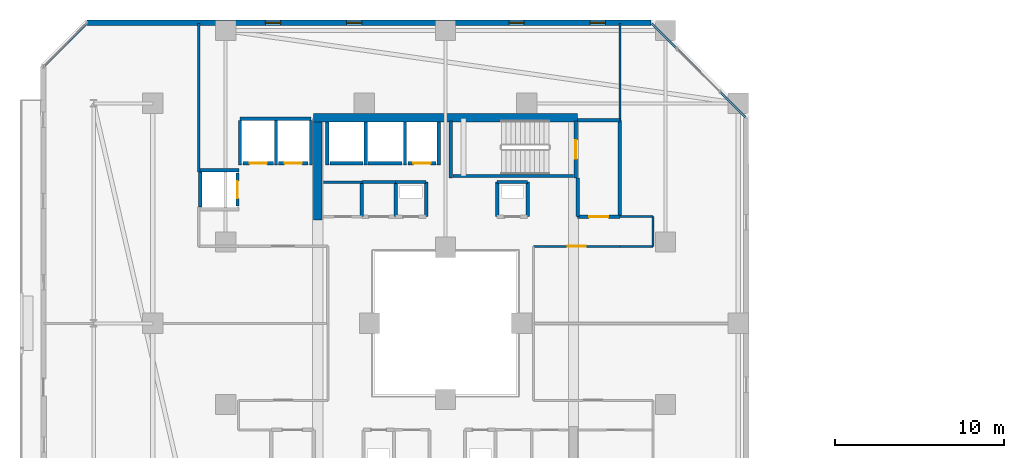
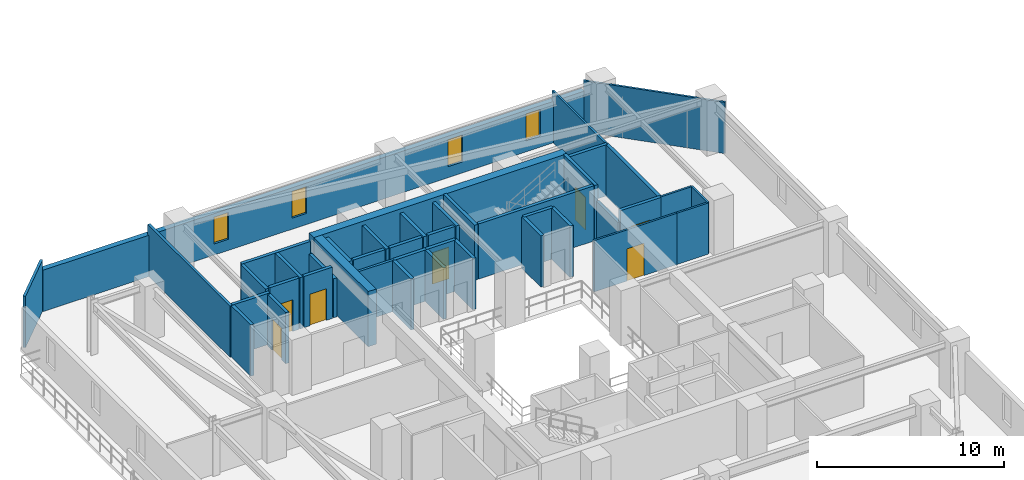
# One storey, part 20 of 31: 43 walls, 7 doors, 4 windows, 11 openings.
"""IFC4 building model written with IfcOpenShell, lengths in metres."""

from ifc_helpers import new_model, si_unit, direction, frame, frame_2d, origin, place, context, subcontext, project, spatial, rectangle, extrude, material, layer, layer_set, type_object, element, fill, save


model = new_model("IFC4")

# Units and contexts
model_context = context("Model", 3, precision=1e-05, world=origin(), true_north=direction((0.0, 1.0)))
body_context = subcontext(model_context, "Body", "Model", "MODEL_VIEW")
ifc_project = project(units=[si_unit("LENGTHUNIT", "METRE"), si_unit("AREAUNIT", "SQUARE_METRE"), si_unit("VOLUMEUNIT", "CUBIC_METRE"), si_unit("PLANEANGLEUNIT", "RADIAN"), si_unit("MASSUNIT", "GRAM", prefix="KILO")], contexts=[model_context])

# Site, building, storey
site_placement = place(None, origin())
site = spatial("IfcSite", under=ifc_project, at=site_placement, CompositionType="ELEMENT")
building_placement = place(site_placement, origin())
building = spatial("IfcBuilding", under=site, at=building_placement, Name="Thornwick Lancets Civic Towers", CompositionType="ELEMENT")
storey_placement = place(building_placement, frame((0.0, 0.0, 126.89990234375)))
storey = spatial("IfcBuildingStorey", under=building, at=storey_placement, Name="L33", CompositionType="ELEMENT", Elevation=126.89990234375)

# Wall, opening, door
ifc_material_1 = material(Name="Concrete blockwork C40/50", Category="masonry")
ifc_layer_1 = layer(ifc_material_1, 0.199951171875, Name="Concrete blockwork C40/50")
ifc_layer_set_1 = layer_set([ifc_layer_1], Name="Concrete blockwork C40/50")
wall_type_1 = type_object("IfcWallType", Name="WALL_COMP_200", PredefinedType="STANDARD", material=ifc_layer_set_1)
wall_1_placement = place(storey_placement, frame((24.919921875, 36.449951171875, 0.0), z_axis=(0.0, 0.0, 1.0), x_axis=(-1.0, 0.0, 0.0)))
wall_1 = element("IfcWall", 1, at=wall_1_placement, inside=storey, type_object=wall_type_1, Name="L33 Hoistway Front Wall FL-A2", PredefinedType="STANDARD", context=body_context, shape_type="SweptSolid", body=[
    extrude(rectangle(XDim=1.639892578125, YDim=0.199951171875, at=frame_2d((0.81982421875, 0.0))), origin(), (0.0, 0.0, 1.0), 3.340087890625),
])
opening_1_placement = place(wall_1_placement, frame((0.31005859375, 0.0, 0.0)))
opening_1 = element("IfcOpeningElement", 2, at=opening_1_placement, cuts=wall_1, Name="Opening LD-FL-A2", PredefinedType="OPENING", context=body_context, shape_type="SweptSolid", body=[
    extrude(rectangle(XDim=1.02001953125, YDim=2.06005859375, at=frame_2d((0.510009765625, 1.030029296875))), frame((0.0, 0.10986328125, 0.0), z_axis=(0.0, -1.0, 0.0), x_axis=(1.0, 0.0, 0.0)), (0.0, 0.0, 1.0), 0.219970703125),
])
ifc_material_2 = material(Name="Brushed bronze stainless steel", Category="steel")
door_type_1 = type_object("IfcDoorType", Name="DOOR_LIFT_SLIDE", OperationType="SLIDING_TO_LEFT", PredefinedType="DOOR", material=ifc_material_2)
door_1_placement = place(opening_1_placement, origin())
door_1 = element("IfcDoor", 3, at=door_1_placement, inside=storey, type_object=door_type_1, Name="L33 Sliding Lift Landing Door LD-FL-A2", OperationType="SLIDING_TO_LEFT", OverallHeight=2.06005859375, OverallWidth=1.02001953125, PredefinedType="DOOR", context=body_context, shape_type="SweptSolid", body=[
    extrude(rectangle(XDim=1.02001953125, YDim=2.06005859375, at=frame_2d((0.510009765625, 1.030029296875))), frame((0.0, 0.02490234375, 0.0), z_axis=(0.0, -1.0, 0.0), x_axis=(1.0, 0.0, 0.0)), (0.0, 0.0, 1.0), 0.050048828125),
])
fill(opening_1, door_1)

# Walls
wall_2_placement = place(storey_placement, frame((22.919921875, 36.449951171875, 0.0), z_axis=(0.0, 0.0, 1.0), x_axis=(-1.0, 0.0, 0.0)))
element("IfcWall", 4, at=wall_2_placement, inside=storey, type_object=wall_type_1, Name="L33 Hoistway Front Wall PL-AH2", PredefinedType="STANDARD", context=body_context, shape_type="SweptSolid", body=[
    extrude(rectangle(XDim=1.989990234375, YDim=0.199951171875, at=frame_2d((0.9951171875, 0.0))), origin(), (0.0, 0.0, 1.0), 3.340087890625),
])
wall_3_placement = place(storey_placement, frame((20.6201171875, 36.449951171875, 0.0), z_axis=(0.0, 0.0, 1.0), x_axis=(-1.0, 0.0, 0.0)))
element("IfcWall", 5, at=wall_3_placement, inside=storey, type_object=wall_type_1, Name="L33 Hoistway Front Wall PL-AH3", PredefinedType="STANDARD", context=body_context, shape_type="SweptSolid", body=[
    extrude(rectangle(XDim=1.940185546875, YDim=0.199951171875, at=frame_2d((0.97021484375, 0.0))), origin(), (0.0, 0.0, 1.0), 3.340087890625),
])

# Wall, opening, door
wall_4_placement = place(storey_placement, frame((17.3701171875, 36.449951171875, 0.0), z_axis=(0.0, 0.0, 1.0), x_axis=(-1.0, 0.0, 0.0)))
wall_4 = element("IfcWall", 6, at=wall_4_placement, inside=storey, type_object=wall_type_1, Name="L33 Hoistway Front Wall PL-AM1", PredefinedType="STANDARD", context=body_context, shape_type="SweptSolid", body=[
    extrude(rectangle(XDim=1.740234375, YDim=0.199951171875, at=frame_2d((0.8701171875, 0.0))), origin(), (0.0, 0.0, 1.0), 3.340087890625),
])
opening_2_placement = place(wall_4_placement, frame((0.360107421875, 0.0, 0.0)))
opening_2 = element("IfcOpeningElement", 7, at=opening_2_placement, cuts=wall_4, Name="Opening LD-PL-AM1", PredefinedType="OPENING", context=body_context, shape_type="SweptSolid", body=[
    extrude(rectangle(XDim=1.02001953125, YDim=2.06005859375, at=frame_2d((0.510009765625, 1.030029296875))), frame((0.0, 0.10986328125, 0.0), z_axis=(0.0, -1.0, 0.0), x_axis=(1.0, 0.0, 0.0)), (0.0, 0.0, 1.0), 0.219970703125),
])
door_2_placement = place(opening_2_placement, origin())
door_2 = element("IfcDoor", 8, at=door_2_placement, inside=storey, type_object=door_type_1, Name="L33 Sliding Lift Landing Door LD-PL-AM1", OperationType="SLIDING_TO_LEFT", OverallHeight=2.06005859375, OverallWidth=1.02001953125, PredefinedType="DOOR", context=body_context, shape_type="SweptSolid", body=[
    extrude(rectangle(XDim=1.02001953125, YDim=2.06005859375, at=frame_2d((0.510009765625, 1.030029296875))), frame((0.0, 0.02490234375, 0.0), z_axis=(0.0, -1.0, 0.0), x_axis=(1.0, 0.0, 0.0)), (0.0, 0.0, 1.0), 0.050048828125),
])
fill(opening_2, door_2)

wall_5_placement = place(storey_placement, frame((15.320068359375, 36.449951171875, 0.0), z_axis=(0.0, 0.0, 1.0), x_axis=(-1.0, 0.0, 0.0)))
wall_5 = element("IfcWall", 9, at=wall_5_placement, inside=storey, type_object=wall_type_1, Name="L33 Hoistway Front Wall PL-AM2", PredefinedType="STANDARD", context=body_context, shape_type="SweptSolid", body=[
    extrude(rectangle(XDim=1.7900390625, YDim=0.199951171875, at=frame_2d((0.89501953125, 0.0))), origin(), (0.0, 0.0, 1.0), 3.340087890625),
])
opening_3_placement = place(wall_5_placement, frame((0.385009765625, 0.0, 0.0)))
opening_3 = element("IfcOpeningElement", 10, at=opening_3_placement, cuts=wall_5, Name="Opening LD-PL-AM2", PredefinedType="OPENING", context=body_context, shape_type="SweptSolid", body=[
    extrude(rectangle(XDim=1.02001953125, YDim=2.06005859375, at=frame_2d((0.510009765625, 1.030029296875))), frame((0.0, 0.10986328125, 0.0), z_axis=(0.0, -1.0, 0.0), x_axis=(1.0, 0.0, 0.0)), (0.0, 0.0, 1.0), 0.219970703125),
])
door_3_placement = place(opening_3_placement, origin())
door_3 = element("IfcDoor", 11, at=door_3_placement, inside=storey, type_object=door_type_1, Name="L33 Sliding Lift Landing Door LD-PL-AM2", OperationType="SLIDING_TO_LEFT", OverallHeight=2.06005859375, OverallWidth=1.02001953125, PredefinedType="DOOR", context=body_context, shape_type="SweptSolid", body=[
    extrude(rectangle(XDim=1.02001953125, YDim=2.06005859375, at=frame_2d((0.510009765625, 1.030029296875))), frame((0.0, 0.02490234375, 0.0), z_axis=(0.0, -1.0, 0.0), x_axis=(1.0, 0.0, 0.0)), (0.0, 0.0, 1.0), 0.050048828125),
])
fill(opening_3, door_3)

wall_6_placement = place(storey_placement, frame((13.199951171875, 33.929931640625, 0.0), z_axis=(0.0, 0.0, 1.0), x_axis=(0.0, 1.0, 0.0)))
wall_6 = element("IfcWall", 12, at=wall_6_placement, inside=storey, type_object=wall_type_1, Name="L33 Hoistway Front Wall PL-AM3", PredefinedType="STANDARD", context=body_context, shape_type="SweptSolid", body=[
    extrude(rectangle(XDim=1.940185546875, YDim=0.199951171875, at=frame_2d((0.97021484375, 0.0))), origin(), (0.0, 0.0, 1.0), 3.340087890625),
])
opening_4_placement = place(wall_6_placement, frame((0.4599609375, 0.0, 0.0)))
opening_4 = element("IfcOpeningElement", 13, at=opening_4_placement, cuts=wall_6, Name="Opening LD-PL-AM3", PredefinedType="OPENING", context=body_context, shape_type="SweptSolid", body=[
    extrude(rectangle(XDim=1.02001953125, YDim=2.06005859375, at=frame_2d((0.510009765625, 1.030029296875))), frame((0.0, 0.10986328125, 0.0), z_axis=(0.0, -1.0, 0.0), x_axis=(1.0, 0.0, 0.0)), (0.0, 0.0, 1.0), 0.219970703125),
])
door_4_placement = place(opening_4_placement, origin())
door_4 = element("IfcDoor", 14, at=door_4_placement, inside=storey, type_object=door_type_1, Name="L33 Sliding Lift Landing Door LD-PL-AM3", OperationType="SLIDING_TO_LEFT", OverallHeight=2.06005859375, OverallWidth=1.02001953125, PredefinedType="DOOR", context=body_context, shape_type="SweptSolid", body=[
    extrude(rectangle(XDim=1.02001953125, YDim=2.06005859375, at=frame_2d((0.510009765625, 1.030029296875))), frame((0.0, 0.02490234375, 0.0), z_axis=(0.0, -1.0, 0.0), x_axis=(1.0, 0.0, 0.0)), (0.0, 0.0, 1.0), 0.050048828125),
])
fill(opening_4, door_4)

# Walls
for number, where, z_axis, x_axis, name in (
    (15, (25.10009765625, 36.35205078125, 0.0), (0.0, 0.0, 1.0), (0.0, 1.0, 0.0), "L33 Hoistway Shaft Wall FL-A2 E"),
    (16, (23.10009765625, 36.35205078125, 0.0), (0.0, 0.0, 1.0), (0.0, 1.0, 0.0), "L33 Hoistway Shaft Wall FL-A2 W"),
    (17, (20.77490234375, 36.35205078125, 0.0), (0.0, 0.0, 1.0), (0.0, 1.0, 0.0), "L33 Hoistway Shaft Wall PL-AH2 W"),
    (18, (18.5, 36.35205078125, 0.0), (0.0, 0.0, 1.0), (0.0, 1.0, 0.0), "L33 Hoistway Shaft Wall PL-AH3 W"),
):
    element("IfcWall", number, at=place(storey_placement, frame(where, z_axis=z_axis, x_axis=x_axis)), inside=storey, type_object=wall_type_1, Name=name, PredefinedType="STANDARD", context=body_context, shape_type="SweptSolid", body=[
        extrude(rectangle(XDim=2.535888671875, YDim=0.199951171875, at=frame_2d((1.26806640625, 0.0))), origin(), (0.0, 0.0, 1.0), 3.340087890625),
    ])
wall_7_placement = place(storey_placement, frame((13.35205078125, 39.10009765625, 0.0), z_axis=(0.0, 0.0, 1.0), x_axis=(1.0, 0.0, 0.0)))
element("IfcWall", 19, at=wall_7_placement, inside=storey, type_object=wall_type_1, Name="L33 Hoistway Shaft Wall PL-AM1 N", PredefinedType="STANDARD", context=body_context, shape_type="SweptSolid", body=[
    extrude(rectangle(XDim=4.196044921875, YDim=0.199951171875, at=frame_2d((2.09814453125, 0.0))), origin(), (0.0, 0.0, 1.0), 3.340087890625),
])
wall_8_placement = place(storey_placement, frame((17.550048828125, 36.35205078125, 0.0), z_axis=(0.0, 0.0, 1.0), x_axis=(0.0, 1.0, 0.0)))
element("IfcWall", 20, at=wall_8_placement, inside=storey, type_object=wall_type_1, Name="L33 Hoistway Shaft Wall PL-AM1 E", PredefinedType="STANDARD", context=body_context, shape_type="SweptSolid", body=[
    extrude(rectangle(XDim=2.635986328125, YDim=0.199951171875, at=frame_2d((1.31787109375, 0.0))), origin(), (0.0, 0.0, 1.0), 2.545166015625),
])
for number, where, z_axis, x_axis, name in (
    (21, (15.47509765625, 36.35205078125, 0.0), (0.0, 0.0, 1.0), (0.0, 1.0, 0.0), "L33 Hoistway Shaft Wall PL-AM1 W"),
    (22, (13.35009765625, 36.35205078125, 0.0), (0.0, 0.0, 1.0), (0.0, 1.0, 0.0), "L33 Hoistway Shaft Wall PL-AM2 W"),
):
    element("IfcWall", number, at=place(storey_placement, frame(where, z_axis=z_axis, x_axis=x_axis)), inside=storey, type_object=wall_type_1, Name=name, PredefinedType="STANDARD", context=body_context, shape_type="SweptSolid", body=[
        extrude(rectangle(XDim=2.635986328125, YDim=0.199951171875, at=frame_2d((1.31787109375, 0.0))), origin(), (0.0, 0.0, 1.0), 3.340087890625),
    ])
wall_9_placement = place(storey_placement, frame((11.001953125, 36.050048828125, 0.0), z_axis=(0.0, 0.0, 1.0), x_axis=(1.0, 0.0, 0.0)))
element("IfcWall", 23, at=wall_9_placement, inside=storey, type_object=wall_type_1, Name="L33 Hoistway Shaft Wall PL-AM3 N", PredefinedType="STANDARD", context=body_context, shape_type="SweptSolid", body=[
    extrude(rectangle(XDim=2.296142578125, YDim=0.199951171875, at=frame_2d((1.14794921875, 0.0))), origin(), (0.0, 0.0, 1.0), 3.340087890625),
])
wall_10_placement = place(storey_placement, frame((11.0, 33.862060546875, 0.0), z_axis=(0.0, 0.0, 1.0), x_axis=(0.0, 1.0, 0.0)))
element("IfcWall", 24, at=wall_10_placement, inside=storey, type_object=wall_type_1, Name="L33 Hoistway Shaft Wall PL-AM3 W", PredefinedType="STANDARD", context=body_context, shape_type="SweptSolid", body=[
    extrude(rectangle(XDim=2.075927734375, YDim=0.199951171875, at=frame_2d((1.0380859375, 0.0))), origin(), (0.0, 0.0, 1.0), 3.340087890625),
])

# Wall, opening, door
wall_11_placement = place(storey_placement, frame((33.300048828125, 33.300048828125, 0.0), z_axis=(0.0, 0.0, 1.0), x_axis=(1.0, 0.0, 0.0)))
wall_11 = element("IfcWall", 25, at=wall_11_placement, inside=storey, type_object=wall_type_1, Name="L33 Partition L33-A-FFLOB2 E1", PredefinedType="STANDARD", context=body_context, shape_type="SweptSolid", body=[
    extrude(rectangle(XDim=2.5, YDim=0.199951171875, at=frame_2d((1.25, 0.0))), origin(), (0.0, 0.0, 1.0), 3.340087890625),
])
opening_5_placement = place(wall_11_placement, frame((0.675048828125, 0.0, 0.0)))
opening_5 = element("IfcOpeningElement", 26, at=opening_5_placement, cuts=wall_11, Name="Opening D-L33-1494", PredefinedType="OPENING", context=body_context, shape_type="SweptSolid", body=[
    extrude(rectangle(XDim=1.14990234375, YDim=2.10009765625, at=frame_2d((0.574951171875, 1.050048828125))), frame((0.0, 0.10986328125, 0.0), z_axis=(0.0, -1.0, 0.0), x_axis=(1.0, 0.0, 0.0)), (0.0, 0.0, 1.0), 0.219970703125),
])
ifc_material_3 = material(Name="Glazed fire-resisting steel", Category="steel")
door_type_2 = type_object("IfcDoorType", Name="DOOR_LOBBY_FD60", OperationType="NOTDEFINED", PredefinedType="DOOR", material=ifc_material_3)
door_5_placement = place(opening_5_placement, origin())
door_5 = element("IfcDoor", 27, at=door_5_placement, inside=storey, type_object=door_type_2, Name="L33 North Firefighting Lobby 2 Door", OperationType="SINGLE_SWING_LEFT", OverallHeight=2.10009765625, OverallWidth=1.14990234375, PredefinedType="DOOR", context=body_context, shape_type="SweptSolid", body=[
    extrude(rectangle(XDim=1.14990234375, YDim=2.10009765625, at=frame_2d((0.574951171875, 1.050048828125))), frame((0.0, 0.02490234375, 0.0), z_axis=(0.0, -1.0, 0.0), x_axis=(1.0, 0.0, 0.0)), (0.0, 0.0, 1.0), 0.050048828125),
])
fill(opening_5, door_5)

# Walls
wall_12_placement = place(storey_placement, frame((35.800048828125, 33.300048828125, 0.0), z_axis=(0.0, 0.0, 1.0), x_axis=(0.0, 1.0, 0.0)))
element("IfcWall", 28, at=wall_12_placement, inside=storey, type_object=wall_type_1, Name="L33 Partition L33-A-FFLOB2 E2", PredefinedType="STANDARD", context=body_context, shape_type="SweptSolid", body=[
    extrude(rectangle(XDim=5.699951171875, YDim=0.199951171875, at=frame_2d((2.85009765625, 0.0))), origin(), (0.0, 0.0, 1.0), 3.340087890625),
])
wall_13_placement = place(storey_placement, frame((35.800048828125, 39.0, 0.0), z_axis=(0.0, 0.0, 1.0), x_axis=(-1.0, 0.0, 0.0)))
element("IfcWall", 29, at=wall_13_placement, inside=storey, type_object=wall_type_1, Name="L33 Partition L33-A-FFLOB2 E3", PredefinedType="STANDARD", context=body_context, shape_type="SweptSolid", body=[
    extrude(rectangle(XDim=2.5, YDim=0.199951171875, at=frame_2d((1.25, 0.0))), origin(), (0.0, 0.0, 1.0), 3.340087890625),
])
wall_14_placement = place(storey_placement, frame((33.300048828125, 35.60009765625, 0.0), z_axis=(0.0, 0.0, 1.0), x_axis=(0.0, -1.0, 0.0)))
element("IfcWall", 30, at=wall_14_placement, inside=storey, type_object=wall_type_1, Name="L33 Partition L33-A-FFLOB2 E4", PredefinedType="STANDARD", context=body_context, shape_type="SweptSolid", body=[
    extrude(rectangle(XDim=2.300048828125, YDim=0.199951171875, at=frame_2d((1.14990234375, 0.0))), origin(), (0.0, 0.0, 1.0), 2.545166015625),
])
wall_15_placement = place(storey_placement, frame((24.35009765625, 33.300048828125, 0.0), z_axis=(0.0, 0.0, 1.0), x_axis=(0.0, 1.0, 0.0)))
element("IfcWall", 31, at=wall_15_placement, inside=storey, type_object=wall_type_1, Name="L33 Partition L33-A-DUCT2 E2", PredefinedType="STANDARD", context=body_context, shape_type="SweptSolid", body=[
    extrude(rectangle(XDim=2.050048828125, YDim=0.199951171875, at=frame_2d((1.02490234375, 0.0))), origin(), (0.0, 0.0, 1.0), 3.340087890625),
])
wall_16_placement = place(storey_placement, frame((24.35009765625, 35.35009765625, 0.0), z_axis=(0.0, 0.0, 1.0), x_axis=(-1.0, 0.0, 0.0)))
element("IfcWall", 32, at=wall_16_placement, inside=storey, type_object=wall_type_1, Name="L33 Partition L33-A-DUCT2 E3", PredefinedType="STANDARD", context=body_context, shape_type="SweptSolid", body=[
    extrude(rectangle(XDim=1.800048828125, YDim=0.199951171875, at=frame_2d((0.89990234375, 0.0))), origin(), (0.0, 0.0, 1.0), 3.340087890625),
])
for number, where, z_axis, x_axis, name in (
    (33, (22.550048828125, 35.35009765625, 0.0), (0.0, 0.0, 1.0), (0.0, -1.0, 0.0), "L33 Partition L33-A-DUCT2 E4"),
    (34, (30.35009765625, 33.300048828125, 0.0), (0.0, 0.0, 1.0), (0.0, 1.0, 0.0), "L33 Partition L33-A-RISER2 E2"),
):
    element("IfcWall", number, at=place(storey_placement, frame(where, z_axis=z_axis, x_axis=x_axis)), inside=storey, type_object=wall_type_1, Name=name, PredefinedType="STANDARD", context=body_context, shape_type="SweptSolid", body=[
        extrude(rectangle(XDim=2.050048828125, YDim=0.199951171875, at=frame_2d((1.02490234375, 0.0))), origin(), (0.0, 0.0, 1.0), 3.340087890625),
    ])
wall_17_placement = place(storey_placement, frame((30.35009765625, 35.35009765625, 0.0), z_axis=(0.0, 0.0, 1.0), x_axis=(-1.0, 0.0, 0.0)))
element("IfcWall", 35, at=wall_17_placement, inside=storey, type_object=wall_type_1, Name="L33 Partition L33-A-RISER2 E3", PredefinedType="STANDARD", context=body_context, shape_type="SweptSolid", body=[
    extrude(rectangle(XDim=1.800048828125, YDim=0.199951171875, at=frame_2d((0.89990234375, 0.0))), origin(), (0.0, 0.0, 1.0), 3.340087890625),
])
for number, where, z_axis, x_axis, name in (
    (36, (28.550048828125, 35.35009765625, 0.0), (0.0, 0.0, 1.0), (0.0, -1.0, 0.0), "L33 Partition L33-A-RISER2 E4"),
    (37, (20.550048828125, 33.300048828125, 0.0), (0.0, 0.0, 1.0), (0.0, 1.0, 0.0), "L33 Partition L33-A-STR E1"),
):
    element("IfcWall", number, at=place(storey_placement, frame(where, z_axis=z_axis, x_axis=x_axis)), inside=storey, type_object=wall_type_1, Name=name, PredefinedType="STANDARD", context=body_context, shape_type="SweptSolid", body=[
        extrude(rectangle(XDim=2.050048828125, YDim=0.199951171875, at=frame_2d((1.02490234375, 0.0))), origin(), (0.0, 0.0, 1.0), 3.340087890625),
    ])
wall_18_placement = place(storey_placement, frame((20.550048828125, 35.35009765625, 0.0), z_axis=(0.0, 0.0, 1.0), x_axis=(1.0, 0.0, 0.0)))
element("IfcWall", 38, at=wall_18_placement, inside=storey, type_object=wall_type_1, Name="L33 Partition L33-A-STR E2", PredefinedType="STANDARD", context=body_context, shape_type="SweptSolid", body=[
    extrude(rectangle(XDim=2.0, YDim=0.199951171875, at=frame_2d((1.0, 0.0))), origin(), (0.0, 0.0, 1.0), 3.340087890625),
])
ifc_material_4 = material(Name="Concrete C50/60", Category="concrete")
ifc_layer_2 = layer(ifc_material_4, 0.5, Name="Concrete C50/60")
ifc_layer_set_2 = layer_set([ifc_layer_2], Name="Concrete C50/60")
wall_type_2 = type_object("IfcWallType", Name="WALL_CORE_500", PredefinedType="SHEAR", material=ifc_layer_set_2)
wall_19_placement = place(storey_placement, frame((17.699951171875, 39.14990234375, 0.0), z_axis=(0.0, 0.0, 1.0), x_axis=(1.0, 0.0, 0.0)))
element("IfcWall", 39, at=wall_19_placement, inside=storey, type_object=wall_type_2, Name="L33 Split Core A2 Shear Wall N", PredefinedType="SHEAR", context=body_context, shape_type="SweptSolid", body=[
    extrude(rectangle(XDim=15.60009765625, YDim=0.5, at=frame_2d((7.800048828125, 0.0))), origin(), (0.0, 0.0, 1.0), 3.60009765625),
])
wall_20_placement = place(storey_placement, frame((17.949951171875, 33.10009765625, 0.0), z_axis=(0.0, 0.0, 1.0), x_axis=(0.0, 1.0, 0.0)))
element("IfcWall", 40, at=wall_20_placement, inside=storey, type_object=wall_type_2, Name="L33 Split Core A2 Shear Wall W", PredefinedType="SHEAR", context=body_context, shape_type="SweptSolid", body=[
    extrude(rectangle(XDim=5.7998046875, YDim=0.5, at=frame_2d((2.89990234375, 0.0))), origin(), (0.0, 0.0, 1.0), 3.60009765625),
])

# Wall, openings, windows
ifc_material_5 = material(Name="Insulated buff terracotta rainscreen on concrete C40/50", Category="masonry")
ifc_layer_3 = layer(ifc_material_5, 0.320068359375, Name="Insulated buff terracotta rainscreen on concrete C40/50")
ifc_layer_set_3 = layer_set([ifc_layer_3], Name="Insulated buff terracotta rainscreen on concrete C40/50")
wall_type_3 = type_object("IfcWallType", Name="WALL_EXT_TERRA_320", PredefinedType="STANDARD", material=ifc_layer_set_3)
wall_21_placement = place(storey_placement, frame((37.64794921875, 44.754638671875, 0.0), z_axis=(0.0, 0.0, 1.0), x_axis=(-0.999999954901, 0.000300328883, 0.0)))
wall_21 = element("IfcWall", 41, at=wall_21_placement, inside=storey, type_object=wall_type_3, Name="L33 Tower A Terracotta Facade Wall E4", PredefinedType="STANDARD", context=body_context, shape_type="SweptSolid", body=[
    extrude(rectangle(XDim=33.329345703125, YDim=0.320068359375, at=frame_2d((16.66455078125, 0.0))), origin(), (0.0, 0.0, 1.0), 2.7001953125),
])
opening_6_placement = place(wall_21_placement, frame((2.699951171875, 0.0, 0.719970703125)))
opening_6 = element("IfcOpeningElement", 42, at=opening_6_placement, cuts=wall_21, Name="Opening WL-01", PredefinedType="OPENING", context=body_context, shape_type="SweptSolid", body=[
    extrude(rectangle(XDim=0.89990234375, YDim=1.75, at=frame_2d((0.449951171875, 0.875))), frame((0.0, 0.169921875, 0.0), z_axis=(0.0, -1.0, 0.0), x_axis=(1.0, 0.0, 0.0)), (0.0, 0.0, 1.0), 0.340087890625),
])
opening_7_placement = place(wall_21_placement, frame((7.5, 0.0, 0.719970703125)))
opening_7 = element("IfcOpeningElement", 43, at=opening_7_placement, cuts=wall_21, Name="Opening WL-01", PredefinedType="OPENING", context=body_context, shape_type="SweptSolid", body=[
    extrude(rectangle(XDim=0.89990234375, YDim=1.75, at=frame_2d((0.449951171875, 0.875))), frame((0.0, 0.169921875, 0.0), z_axis=(0.0, -1.0, 0.0), x_axis=(1.0, 0.0, 0.0)), (0.0, 0.0, 1.0), 0.340087890625),
])
opening_8_placement = place(wall_21_placement, frame((17.10009765625, 0.0, 0.719970703125)))
opening_8 = element("IfcOpeningElement", 44, at=opening_8_placement, cuts=wall_21, Name="Opening WL-01", PredefinedType="OPENING", context=body_context, shape_type="SweptSolid", body=[
    extrude(rectangle(XDim=0.89990234375, YDim=1.75, at=frame_2d((0.449951171875, 0.875))), frame((0.0, 0.169921875, 0.0), z_axis=(0.0, -1.0, 0.0), x_axis=(1.0, 0.0, 0.0)), (0.0, 0.0, 1.0), 0.340087890625),
])
opening_9_placement = place(wall_21_placement, frame((21.89990234375, 0.0, 0.719970703125)))
opening_9 = element("IfcOpeningElement", 45, at=opening_9_placement, cuts=wall_21, Name="Opening WL-01", PredefinedType="OPENING", context=body_context, shape_type="SweptSolid", body=[
    extrude(rectangle(XDim=0.89990234375, YDim=1.75, at=frame_2d((0.449951171875, 0.875))), frame((0.0, 0.169921875, 0.0), z_axis=(0.0, -1.0, 0.0), x_axis=(1.0, 0.0, 0.0)), (0.0, 0.0, 1.0), 0.340087890625),
])
ifc_material_6 = material(Name="Clear low-e double glazing in bronze frame", Category="glass")
window_type = type_object("IfcWindowType", Name="WIN_LANCET_900", PartitioningType="SINGLE_PANEL", PredefinedType="WINDOW", material=ifc_material_6)
window_1_placement = place(opening_6_placement, origin())
window_1 = element("IfcWindow", 46, at=window_1_placement, inside=storey, type_object=window_type, Name="L33 Tower A Staggered Lancet Window E4-1", OverallHeight=1.75, OverallWidth=0.89990234375, PartitioningType="SINGLE_PANEL", PredefinedType="WINDOW", context=body_context, shape_type="SweptSolid", body=[
    extrude(rectangle(XDim=0.89990234375, YDim=1.75, at=frame_2d((0.449951171875, 0.875))), frame((0.0, 0.030029296875, 0.0), z_axis=(0.0, -1.0, 0.0), x_axis=(1.0, 0.0, 0.0)), (0.0, 0.0, 1.0), 0.06005859375),
])
fill(opening_6, window_1)
window_2_placement = place(opening_7_placement, origin())
window_2 = element("IfcWindow", 47, at=window_2_placement, inside=storey, type_object=window_type, Name="L33 Tower A Staggered Lancet Window E4-2", OverallHeight=1.75, OverallWidth=0.89990234375, PartitioningType="SINGLE_PANEL", PredefinedType="WINDOW", context=body_context, shape_type="SweptSolid", body=[
    extrude(rectangle(XDim=0.89990234375, YDim=1.75, at=frame_2d((0.449951171875, 0.875))), frame((0.0, 0.030029296875, 0.0), z_axis=(0.0, -1.0, 0.0), x_axis=(1.0, 0.0, 0.0)), (0.0, 0.0, 1.0), 0.06005859375),
])
fill(opening_7, window_2)
window_3_placement = place(opening_8_placement, origin())
window_3 = element("IfcWindow", 48, at=window_3_placement, inside=storey, type_object=window_type, Name="L33 Tower A Staggered Lancet Window E4-3", OverallHeight=1.75, OverallWidth=0.89990234375, PartitioningType="SINGLE_PANEL", PredefinedType="WINDOW", context=body_context, shape_type="SweptSolid", body=[
    extrude(rectangle(XDim=0.89990234375, YDim=1.75, at=frame_2d((0.449951171875, 0.875))), frame((0.0, 0.030029296875, 0.0), z_axis=(0.0, -1.0, 0.0), x_axis=(1.0, 0.0, 0.0)), (0.0, 0.0, 1.0), 0.06005859375),
])
fill(opening_8, window_3)
window_4_placement = place(opening_9_placement, origin())
window_4 = element("IfcWindow", 49, at=window_4_placement, inside=storey, type_object=window_type, Name="L33 Tower A Staggered Lancet Window E4-4", OverallHeight=1.75, OverallWidth=0.89990234375, PartitioningType="SINGLE_PANEL", PredefinedType="WINDOW", context=body_context, shape_type="SweptSolid", body=[
    extrude(rectangle(XDim=0.89990234375, YDim=1.75, at=frame_2d((0.449951171875, 0.875))), frame((0.0, 0.030029296875, 0.0), z_axis=(0.0, -1.0, 0.0), x_axis=(1.0, 0.0, 0.0)), (0.0, 0.0, 1.0), 0.06005859375),
])
fill(opening_9, window_4)

# Wall, opening, door
ifc_material_7 = material(Name="Acoustic gypsum board partition")
ifc_layer_4 = layer(ifc_material_7, 0.1201171875, Name="Acoustic gypsum board partition")
ifc_layer_set_4 = layer_set([ifc_layer_4], Name="Acoustic gypsum board partition")
wall_type_4 = type_object("IfcWallType", Name="WALL_PART_120", PredefinedType="PARTITIONING", material=ifc_layer_set_4)
wall_22_placement = place(storey_placement, frame((30.699951171875, 31.550048828125, 0.0), z_axis=(0.0, 0.0, 1.0), x_axis=(1.0, 0.0, 0.0)))
wall_22 = element("IfcWall", 50, at=wall_22_placement, inside=storey, type_object=wall_type_4, Name="L33 Partition L33-A-E3 E1", PredefinedType="PARTITIONING", context=body_context, shape_type="SweptSolid", body=[
    extrude(rectangle(XDim=5.10009765625, YDim=0.1201171875, at=frame_2d((2.550048828125, 0.0))), origin(), (0.0, 0.0, 1.0), 3.340087890625),
])
opening_10_placement = place(wall_22_placement, frame((2.02490234375, 0.0, 0.0)))
opening_10 = element("IfcOpeningElement", 51, at=opening_10_placement, cuts=wall_22, Name="Opening D-L33-1519", PredefinedType="OPENING", context=body_context, shape_type="SweptSolid", body=[
    extrude(rectangle(XDim=1.050048828125, YDim=2.10009765625, at=frame_2d((0.52490234375, 1.050048828125))), frame((0.0, 0.070068359375, 0.0), z_axis=(0.0, -1.0, 0.0), x_axis=(1.0, 0.0, 0.0)), (0.0, 0.0, 1.0), 0.14013671875),
])
ifc_material_8 = material(Name="Glazed European oak executive doorset")
door_type_3 = type_object("IfcDoorType", Name="DOOR_OFFICE_1050", OperationType="NOTDEFINED", PredefinedType="DOOR", material=ifc_material_8)
door_6_placement = place(opening_10_placement, origin())
door_6 = element("IfcDoor", 52, at=door_6_placement, inside=storey, type_object=door_type_3, Name="L33 Tower A Civic Seminar Room Door", OperationType="SINGLE_SWING_RIGHT", OverallHeight=2.10009765625, OverallWidth=1.050048828125, PredefinedType="DOOR", context=body_context, shape_type="SweptSolid", body=[
    extrude(rectangle(XDim=1.050048828125, YDim=2.10009765625, at=frame_2d((0.52490234375, 1.050048828125))), frame((0.0, 0.02490234375, 0.0), z_axis=(0.0, -1.0, 0.0), x_axis=(1.0, 0.0, 0.0)), (0.0, 0.0, 1.0), 0.050048828125),
])
fill(opening_10, door_6)

# Walls
wall_23_placement = place(storey_placement, frame((35.800048828125, 31.550048828125, 0.0), z_axis=(0.0, 0.0, 1.0), x_axis=(1.0, 0.0, 0.0)))
element("IfcWall", 53, at=wall_23_placement, inside=storey, type_object=wall_type_4, Name="L33 Partition L33-A-E3 E2", PredefinedType="PARTITIONING", context=body_context, shape_type="SweptSolid", body=[
    extrude(rectangle(XDim=1.949951171875, YDim=0.1201171875, at=frame_2d((0.97509765625, 0.0))), origin(), (0.0, 0.0, 1.0), 3.340087890625),
])
wall_24_placement = place(storey_placement, frame((37.75, 31.550048828125, 0.0), z_axis=(0.0, 0.0, 1.0), x_axis=(0.0, 1.0, 0.0)))
element("IfcWall", 54, at=wall_24_placement, inside=storey, type_object=wall_type_4, Name="L33 Partition L33-A-E3 E3", PredefinedType="PARTITIONING", context=body_context, shape_type="SweptSolid", body=[
    extrude(rectangle(XDim=1.75, YDim=0.1201171875, at=frame_2d((0.875, 0.0))), origin(), (0.0, 0.0, 1.0), 3.340087890625),
])
wall_25_placement = place(storey_placement, frame((37.75, 33.300048828125, 0.0), z_axis=(0.0, 0.0, 1.0), x_axis=(-1.0, 0.0, 0.0)))
element("IfcWall", 55, at=wall_25_placement, inside=storey, type_object=wall_type_4, Name="L33 Partition L33-A-E3 E4", PredefinedType="PARTITIONING", context=body_context, shape_type="SweptSolid", body=[
    extrude(rectangle(XDim=1.949951171875, YDim=0.1201171875, at=frame_2d((0.97509765625, 0.0))), origin(), (0.0, 0.0, 1.0), 3.340087890625),
])
wall_26_placement = place(storey_placement, frame((35.800048828125, 39.0, 0.0), z_axis=(0.0, 0.0, 1.0), x_axis=(0.0, 1.0, 0.0)))
element("IfcWall", 56, at=wall_26_placement, inside=storey, type_object=wall_type_4, Name="L33 Partition L33-A-E3 E6", PredefinedType="PARTITIONING", context=body_context, shape_type="SweptSolid", body=[
    extrude(rectangle(XDim=5.719970703125, YDim=0.1201171875, at=frame_2d((2.85986328125, 0.0))), origin(), (0.0, 0.0, 1.0), 3.340087890625),
])
wall_27_placement = place(storey_placement, frame((37.679443359375, 44.719970703125, 0.0), z_axis=(0.0, 0.0, 1.0), x_axis=(0.707106781187, -0.707106781187, 0.0)))
element("IfcWall", 57, at=wall_27_placement, inside=storey, type_object=wall_type_4, Name="L33 Partition L33-A-E3 E8", PredefinedType="PARTITIONING", context=body_context, shape_type="SweptSolid", body=[
    extrude(rectangle(XDim=7.83544921875, YDim=0.1201171875, at=frame_2d((3.917724609375, 0.0))), origin(), (0.0, 0.0, 1.0), 3.340087890625),
])
ifc_material_9 = material(Name="Twin-stud acoustic gypsum board")
ifc_layer_5 = layer(ifc_material_9, 0.14990234375, Name="Twin-stud acoustic gypsum board")
ifc_layer_set_5 = layer_set([ifc_layer_5], Name="Twin-stud acoustic gypsum board")
wall_type_5 = type_object("IfcWallType", Name="WALL_PART_150", PredefinedType="PARTITIONING", material=ifc_layer_set_5)
wall_28_placement = place(storey_placement, frame((20.550048828125, 35.35009765625, 0.0), z_axis=(0.0, 0.0, 1.0), x_axis=(-1.0, 0.0, 0.0)))
element("IfcWall", 58, at=wall_28_placement, inside=storey, type_object=wall_type_5, Name="L33 Partition L33-A-AWC E3", PredefinedType="PARTITIONING", context=body_context, shape_type="SweptSolid", body=[
    extrude(rectangle(XDim=2.25, YDim=0.14990234375, at=frame_2d((1.125, 0.0))), origin(), (0.0, 0.0, 1.0), 3.340087890625),
])
wall_29_placement = place(storey_placement, frame((1.780029296875, 42.225341796875, 0.0), z_axis=(0.0, 0.0, 1.0), x_axis=(0.707106781187, 0.707106781187, 0.0)))
element("IfcWall", 59, at=wall_29_placement, inside=storey, type_object=wall_type_5, Name="L33 Partition L33-A-W2 E5", PredefinedType="PARTITIONING", context=body_context, shape_type="SweptSolid", body=[
    extrude(rectangle(XDim=3.52783203125, YDim=0.14990234375, at=frame_2d((1.763916015625, 0.0))), origin(), (0.0, 0.0, 1.0), 3.340087890625),
])
wall_30_placement = place(storey_placement, frame((10.89990234375, 44.719970703125, 0.0), z_axis=(0.0, 0.0, 1.0), x_axis=(0.0, -1.0, 0.0)))
element("IfcWall", 60, at=wall_30_placement, inside=storey, type_object=wall_type_5, Name="L33 Partition L33-A-W2 E7", PredefinedType="PARTITIONING", context=body_context, shape_type="SweptSolid", body=[
    extrude(rectangle(XDim=8.781982421875, YDim=0.14990234375, at=frame_2d((4.39111328125, 0.0))), origin(), (0.0, 0.0, 1.0), 3.340087890625),
])

# Wall, opening, door
ifc_material_10 = material(Name="Concrete C40/50", Category="concrete")
ifc_layer_6 = layer(ifc_material_10, 0.199951171875, Name="Concrete C40/50")
ifc_layer_set_6 = layer_set([ifc_layer_6], Name="Concrete C40/50")
wall_type_6 = type_object("IfcWallType", Name="WALL_SHAFT_200", PredefinedType="SHEAR", material=ifc_layer_set_6)
wall_31_placement = place(storey_placement, frame((33.199951171875, 38.949951171875, 0.0), z_axis=(0.0, 0.0, 1.0), x_axis=(0.0, -1.0, 0.0)))
wall_31 = element("IfcWall", 61, at=wall_31_placement, inside=storey, type_object=wall_type_6, Name="L33 ST-A2 Fire Stair Core Wall NEAR", PredefinedType="SHEAR", context=body_context, shape_type="SweptSolid", body=[
    extrude(rectangle(XDim=3.349853515625, YDim=0.199951171875, at=frame_2d((1.6748046875, 0.0))), origin(), (0.0, 0.0, 1.0), 3.60009765625),
])
opening_11_placement = place(wall_31_placement, frame((1.125, 0.0, 0.0)))
opening_11 = element("IfcOpeningElement", 62, at=opening_11_placement, cuts=wall_31, Name="Opening D-ST-A2-L33", PredefinedType="OPENING", context=body_context, shape_type="SweptSolid", body=[
    extrude(rectangle(XDim=1.10009765625, YDim=2.10009765625, at=frame_2d((0.550048828125, 1.050048828125))), frame((0.0, 0.10986328125, 0.0), z_axis=(0.0, -1.0, 0.0), x_axis=(1.0, 0.0, 0.0)), (0.0, 0.0, 1.0), 0.219970703125),
])
ifc_material_11 = material(Name="Fire-resisting steel and hardwood", Category="steel")
door_type_4 = type_object("IfcDoorType", Name="DOOR_STAIR_FD60", OperationType="NOTDEFINED", PredefinedType="DOOR", material=ifc_material_11)
door_7_placement = place(opening_11_placement, origin())
door_7 = element("IfcDoor", 63, at=door_7_placement, inside=storey, type_object=door_type_4, Name="L33 ST-A2 Exit Stair Door", OperationType="SINGLE_SWING_LEFT", OverallHeight=2.10009765625, OverallWidth=1.10009765625, PredefinedType="DOOR", context=body_context, shape_type="SweptSolid", body=[
    extrude(rectangle(XDim=1.10009765625, YDim=2.10009765625, at=frame_2d((0.550048828125, 1.050048828125))), frame((0.0, 0.02490234375, 0.0), z_axis=(0.0, -1.0, 0.0), x_axis=(1.0, 0.0, 0.0)), (0.0, 0.0, 1.0), 0.050048828125),
])
fill(opening_11, door_7)

# Walls
wall_32_placement = place(storey_placement, frame((25.800048828125, 35.60009765625, 0.0), z_axis=(0.0, 0.0, 1.0), x_axis=(0.0, 1.0, 0.0)))
element("IfcWall", 64, at=wall_32_placement, inside=storey, type_object=wall_type_6, Name="L33 ST-A2 Fire Stair Core Wall FAR", PredefinedType="SHEAR", context=body_context, shape_type="SweptSolid", body=[
    extrude(rectangle(XDim=3.349853515625, YDim=0.199951171875, at=frame_2d((1.6748046875, 0.0))), origin(), (0.0, 0.0, 1.0), 3.60009765625),
])
wall_33_placement = place(storey_placement, frame((25.949951171875, 35.702880859375, 0.0), z_axis=(0.0, 0.0, 1.0), x_axis=(1.0, 0.0, 0.0)))
element("IfcWall", 65, at=wall_33_placement, inside=storey, type_object=wall_type_6, Name="L33 ST-A2 Fire Stair Core Wall RIGHT", PredefinedType="SHEAR", context=body_context, shape_type="SweptSolid", body=[
    extrude(rectangle(XDim=7.10009765625, YDim=0.199951171875, at=frame_2d((3.550048828125, 0.0))), origin(), (0.0, 0.0, 1.0), 3.60009765625),
])

save(model, "model.ifc")
